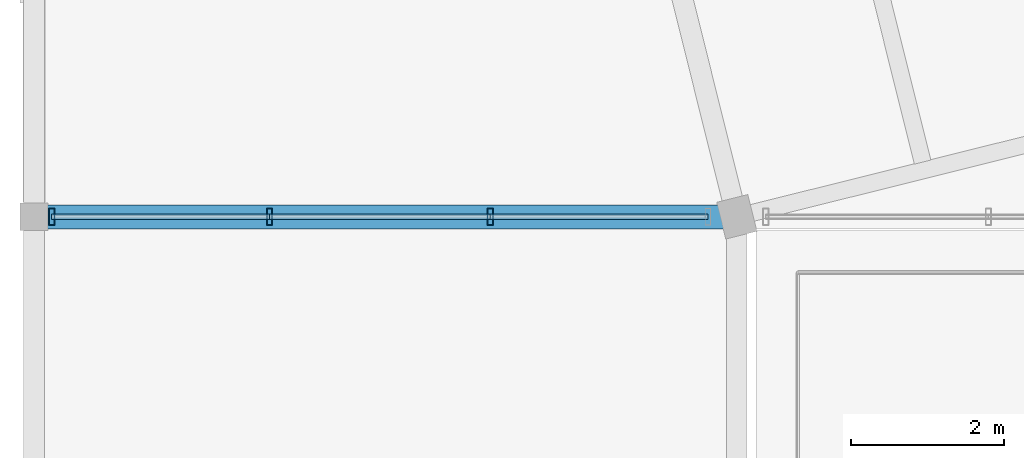
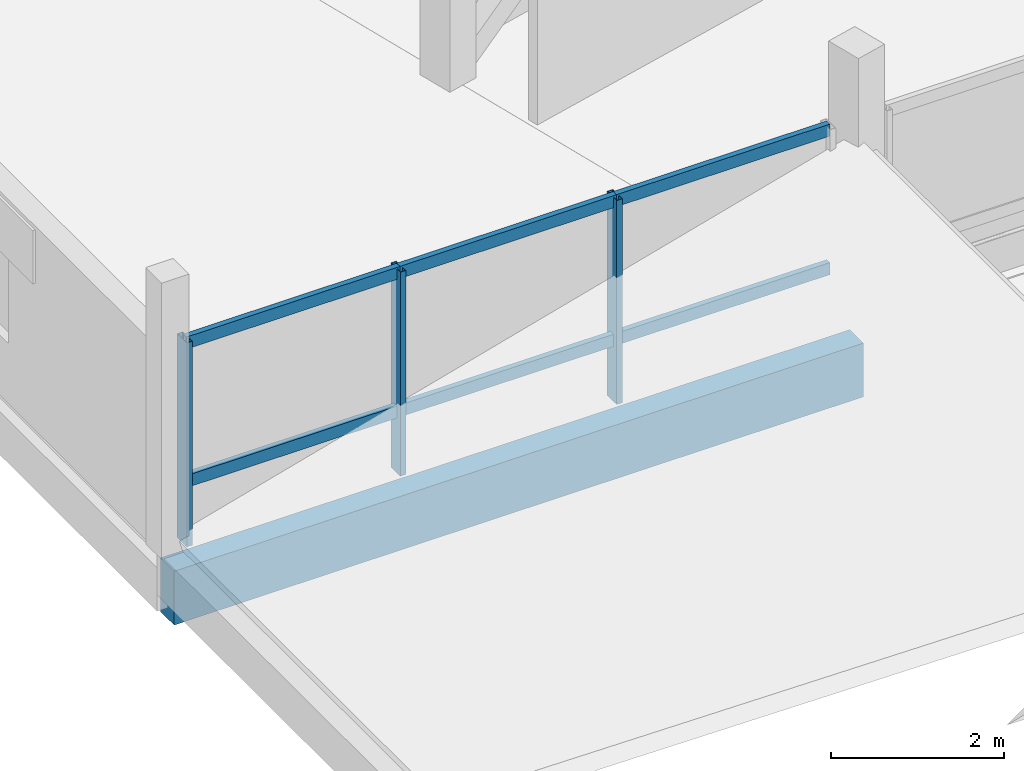
# One storey, part 7 of 39: 9 members, 1 beam, 1 element without a shape of its own.
"""IFC4 building model written with IfcOpenShell, lengths in metres."""

from ifc_helpers import new_model, si_unit, direction, frame, origin, origin_2d, place, context, subcontext, project, spatial, rectangle, hollow_rectangle, extrude, material, layer, layer_set, material_profile, profile_set, type_object, element, aggregate, save


model = new_model("IFC4")

# Units and contexts
model_context = context("Model", 3, precision=1e-05, world=origin(), true_north=direction((0.0, 1.0)))
body_context = subcontext(model_context, "Body", "Model", "MODEL_VIEW")
ifc_project = project(units=[si_unit("LENGTHUNIT", "METRE"), si_unit("AREAUNIT", "SQUARE_METRE"), si_unit("VOLUMEUNIT", "CUBIC_METRE"), si_unit("PLANEANGLEUNIT", "RADIAN"), si_unit("MASSUNIT", "GRAM", prefix="KILO")], contexts=[model_context])

# Site, building, storey
site_placement = place(None, origin())
site = spatial("IfcSite", under=ifc_project, at=site_placement, CompositionType="ELEMENT")
building_placement = place(site_placement, origin())
building = spatial("IfcBuilding", under=site, at=building_placement, Name="Meriwether Solvik Hall", CompositionType="ELEMENT")
storey_placement = place(building_placement, frame((0.0, 0.0, 22.199951171875)))
storey = spatial("IfcBuildingStorey", under=building, at=storey_placement, Name="L05", CompositionType="ELEMENT", Elevation=22.199951171875)

# Beam
ifc_material_1 = material(Name="Glulam Douglas-Fir 24F-V8 GL28h", Category="wood")
ifc_material_profile_1 = material_profile(ifc_material_1, rectangle(XDim=0.31494140625, YDim=0.760009765625, at=origin_2d()), Name="GLB-315X760")
ifc_profile_set_1 = profile_set([ifc_material_profile_1], Name="Glulam Douglas-Fir 24F-V8 GL28h")
beam_type = type_object("IfcBeamType", Name="BM-GL-315X760", PredefinedType="BEAM", material=ifc_profile_set_1)
beam_placement = place(storey_placement, frame((68.60009765625, 41.199951171875, -0.625), z_axis=(-1.0, 0.0, 0.0), x_axis=(0.0, -1.0, 0.0)))
element("IfcBeam", 1, at=beam_placement, inside=storey, type_object=beam_type, Name="Diaphragm Collector Girder T1/TA-7/E (L05)", PredefinedType="BEAM", context=body_context, shape_type="SweptSolid", body=[
    extrude(rectangle(XDim=0.31494140625, YDim=0.760009765625, at=origin_2d()), origin(), (0.0, 0.0, 1.0), 9.2001953125),
])

# Curtain wall, members
ifc_material_2 = material(Name="Thermally Broken Anodised Aluminium 6063-T6 and Low-E Glass", Category="aluminium")
ifc_layer = layer(ifc_material_2, 0.179931640625)
ifc_layer_set = layer_set([ifc_layer], Name="Thermally Broken Anodised Aluminium 6063-T6 and Low-E Glass")
curtain_wall_type = type_object("IfcCurtainWallType", Name="CW-UNIT-E", PredefinedType="USERDEFINED", material=ifc_layer_set)
curtain_wall_placement = place(storey_placement, origin())
curtain_wall = element("IfcCurtainWall", 2, at=curtain_wall_placement, inside=storey, type_object=curtain_wall_type, Name="Curtain Wall wing_XE_7_0 (L05)", ObjectType="UNITISED CURTAIN WALL", PredefinedType="USERDEFINED")
ifc_material_3 = material(Name="Anodised Aluminium 6063-T6", Category="aluminium")
ifc_material_profile_2 = material_profile(ifc_material_3, hollow_rectangle(XDim=0.074951171875, YDim=0.219970703125, WallThickness=0.005615234375, at=origin_2d()), Name="CWM-75X220")
ifc_profile_set_2 = profile_set([ifc_material_profile_2], Name="Anodised Aluminium 6063-T6")
member_type_1 = type_object("IfcMemberType", Name="CW-MUL-75X220", PredefinedType="MULLION", material=ifc_profile_set_2)
member_1_placement = place(storey_placement, frame((65.37158203125, 41.199951171875, 0.0), z_axis=(0.0, 0.0, 1.0), x_axis=(-1.0, 0.0, 0.0)))
member_1 = element("IfcMember", 3, at=member_1_placement, type_object=member_type_1, Name="Curtain Wall Mullion 2", PredefinedType="MULLION", context=body_context, shape_type="SweptSolid", body=[
    extrude(hollow_rectangle(XDim=0.074951171875, YDim=0.219970703125, WallThickness=0.005615234375, at=origin_2d()), origin(), (0.0, 0.0, 1.0), 2.880126953125),
])
member_2_placement = place(storey_placement, frame((62.48291015625, 41.199951171875, 0.0), z_axis=(0.0, 0.0, 1.0), x_axis=(-1.0, 0.0, 0.0)))
member_2 = element("IfcMember", 4, at=member_2_placement, type_object=member_type_1, Name="Curtain Wall Mullion 3", PredefinedType="MULLION", context=body_context, shape_type="SweptSolid", body=[
    extrude(hollow_rectangle(XDim=0.074951171875, YDim=0.219970703125, WallThickness=0.005615234375, at=origin_2d()), origin(), (0.0, 0.0, 1.0), 2.880126953125),
])
member_3_placement = place(storey_placement, frame((59.632568359375, 41.199951171875, 0.0), z_axis=(0.0, 0.0, 1.0), x_axis=(-1.0, 0.0, 0.0)))
member_3 = element("IfcMember", 5, at=member_3_placement, type_object=member_type_1, Name="Curtain Wall Mullion 4", PredefinedType="MULLION", context=body_context, shape_type="SweptSolid", body=[
    extrude(hollow_rectangle(XDim=0.074951171875, YDim=0.219970703125, WallThickness=0.005615234375, at=origin_2d()), origin(), (0.0, 0.0, 1.0), 2.880126953125),
])
ifc_material_4 = material(Name="Anodised Aluminium 6063-T6", Category="aluminium")
ifc_material_profile_3 = material_profile(ifc_material_4, hollow_rectangle(XDim=0.074951171875, YDim=0.169921875, WallThickness=0.005615234375, at=origin_2d()), Name="CWT-75X170")
ifc_profile_set_3 = profile_set([ifc_material_profile_3], Name="Anodised Aluminium 6063-T6")
member_type_2 = type_object("IfcMemberType", Name="CW-TRN-75X170", PredefinedType="USERDEFINED", material=ifc_profile_set_3)
member_4_placement = place(storey_placement, frame((68.221923828125, 41.199951171875, 0.864013671875), z_axis=(-1.0, 0.0, 0.0), x_axis=(0.0, -1.0, 0.0)))
member_4 = element("IfcMember", 6, at=member_4_placement, type_object=member_type_2, Name="Curtain Wall Transom 1-sill", ObjectType="TRANSOM", PredefinedType="USERDEFINED", context=body_context, shape_type="SweptSolid", body=[
    extrude(hollow_rectangle(XDim=0.074951171875, YDim=0.169921875, WallThickness=0.005615234375, at=origin_2d()), origin(), (0.0, 0.0, 1.0), 2.850341796875),
])
member_5_placement = place(storey_placement, frame((68.221923828125, 41.199951171875, 2.820068359375), z_axis=(-1.0, 0.0, 0.0), x_axis=(0.0, -1.0, 0.0)))
member_5 = element("IfcMember", 7, at=member_5_placement, type_object=member_type_2, Name="Curtain Wall Transom 1-head", ObjectType="TRANSOM", PredefinedType="USERDEFINED", context=body_context, shape_type="SweptSolid", body=[
    extrude(hollow_rectangle(XDim=0.074951171875, YDim=0.169921875, WallThickness=0.005615234375, at=origin_2d()), origin(), (0.0, 0.0, 1.0), 2.850341796875),
])
member_6_placement = place(storey_placement, frame((65.37158203125, 41.199951171875, 0.864013671875), z_axis=(-1.0, 0.0, 0.0), x_axis=(0.0, -1.0, 0.0)))
member_6 = element("IfcMember", 8, at=member_6_placement, type_object=member_type_2, Name="Curtain Wall Transom 2-sill", ObjectType="TRANSOM", PredefinedType="USERDEFINED", context=body_context, shape_type="SweptSolid", body=[
    extrude(hollow_rectangle(XDim=0.074951171875, YDim=0.169921875, WallThickness=0.005615234375, at=origin_2d()), origin(), (0.0, 0.0, 1.0), 2.888671875),
])
member_7_placement = place(storey_placement, frame((65.37158203125, 41.199951171875, 2.820068359375), z_axis=(-1.0, 0.0, 0.0), x_axis=(0.0, -1.0, 0.0)))
member_7 = element("IfcMember", 9, at=member_7_placement, type_object=member_type_2, Name="Curtain Wall Transom 2-head", ObjectType="TRANSOM", PredefinedType="USERDEFINED", context=body_context, shape_type="SweptSolid", body=[
    extrude(hollow_rectangle(XDim=0.074951171875, YDim=0.169921875, WallThickness=0.005615234375, at=origin_2d()), origin(), (0.0, 0.0, 1.0), 2.888671875),
])
member_8_placement = place(storey_placement, frame((62.48291015625, 41.199951171875, 0.864013671875), z_axis=(-1.0, 0.0, 0.0), x_axis=(0.0, -1.0, 0.0)))
member_8 = element("IfcMember", 10, at=member_8_placement, type_object=member_type_2, Name="Curtain Wall Transom 3-sill", ObjectType="TRANSOM", PredefinedType="USERDEFINED", context=body_context, shape_type="SweptSolid", body=[
    extrude(hollow_rectangle(XDim=0.074951171875, YDim=0.169921875, WallThickness=0.005615234375, at=origin_2d()), origin(), (0.0, 0.0, 1.0), 2.850341796875),
])
member_9_placement = place(storey_placement, frame((62.48291015625, 41.199951171875, 2.820068359375), z_axis=(-1.0, 0.0, 0.0), x_axis=(0.0, -1.0, 0.0)))
member_9 = element("IfcMember", 11, at=member_9_placement, type_object=member_type_2, Name="Curtain Wall Transom 3-head", ObjectType="TRANSOM", PredefinedType="USERDEFINED", context=body_context, shape_type="SweptSolid", body=[
    extrude(hollow_rectangle(XDim=0.074951171875, YDim=0.169921875, WallThickness=0.005615234375, at=origin_2d()), origin(), (0.0, 0.0, 1.0), 2.850341796875),
])
aggregate(curtain_wall, [member_1, member_2, member_3, member_4, member_5, member_6, member_7, member_8, member_9])

save(model, "model.ifc")
